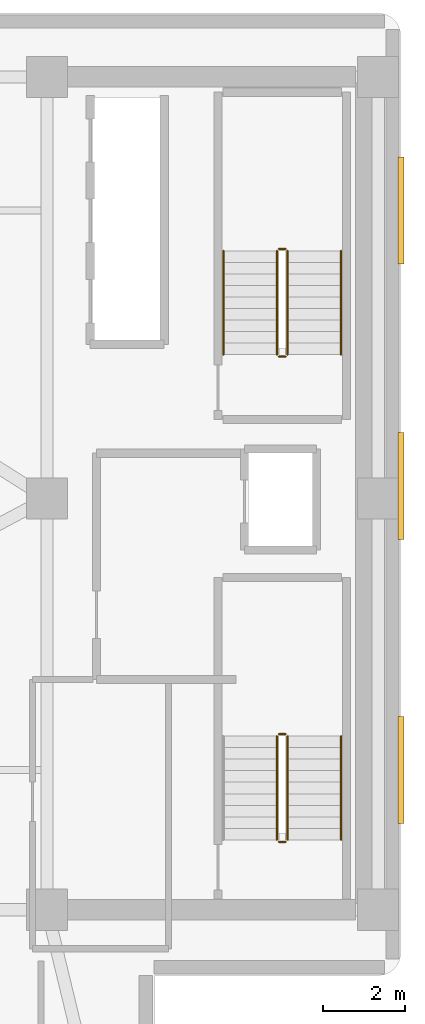
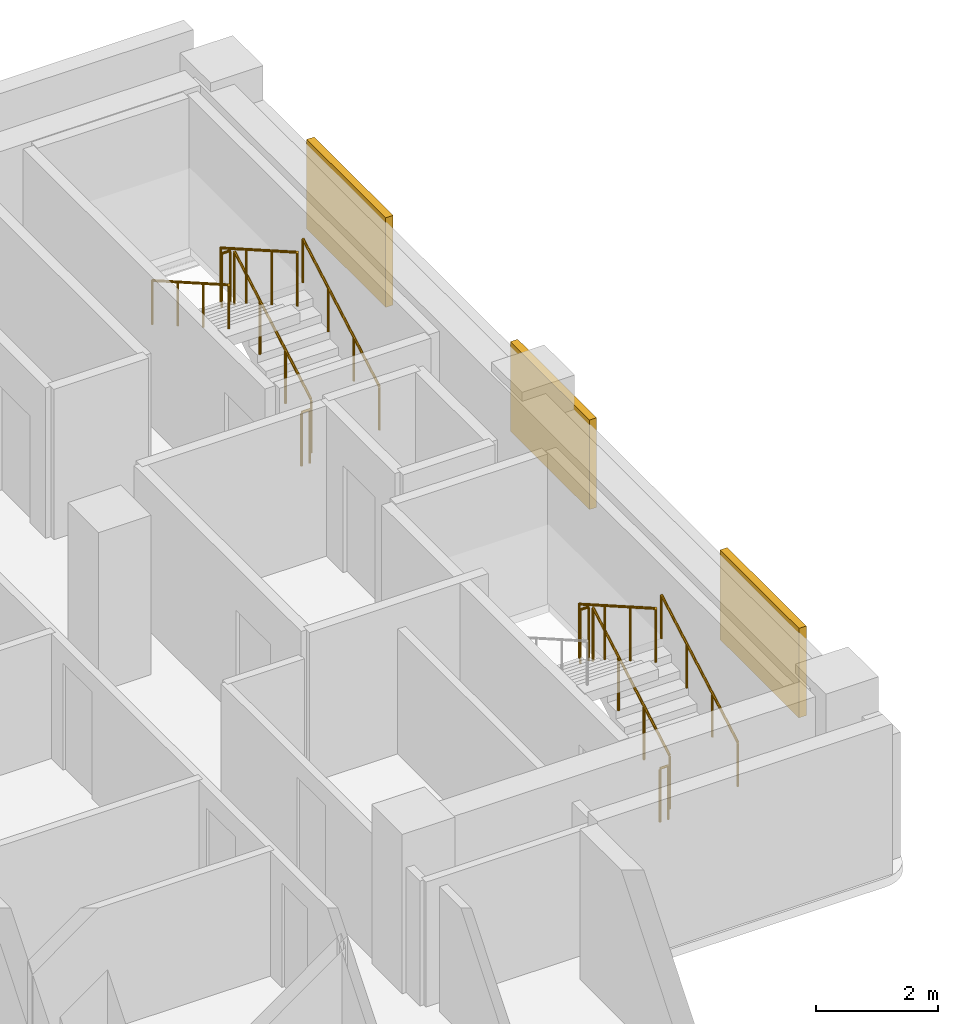
# One storey, part 17 of 17: 11 railings, 3 shading devices.
"""IFC4 building model written with IfcOpenShell, lengths in metres."""

import ifcopenshell
import ifcopenshell.guid

model = None  # the IFC model being written
_history = None  # IfcOwnerHistory: only IFC2X3 demands one
_inside = {}  # id of a spatial element -> (the spatial element, [elements in it])
_under = {}  # id of a project, library or spatial element -> (it, [spatial elements below it])
_declared = {}  # id of a project -> (the project, [libraries it declares])
_typed = {}  # id of a type object -> (the type object, [elements of that type])
_made_of = {}  # id of a material, layer set ... -> (it, [elements and type objects made of it])


def new_model(schema):
    """Start an empty IFC model of exactly this schema.

    Asked for "IFC4X3", IfcOpenShell would pick the latest addendum, in which some entities
    have other attributes; the version numbers below select the first issue.
    IFC2X3 requires an IfcOwnerHistory on every rooted entity: one is made here for all.
    """
    global model, _history
    if schema == "IFC4X3":
        model = ifcopenshell.file(schema_version=(4, 3, 0, 0))
    else:
        model = ifcopenshell.file(schema=schema)
    _inside.clear()
    _under.clear()
    _declared.clear()
    _typed.clear()
    _made_of.clear()
    _history = None
    if model.schema == "IFC2X3":
        org = make("IfcOrganization", Name="unknown")
        user = make(
            "IfcPersonAndOrganization",
            ThePerson=make("IfcPerson", FamilyName="unknown"),
            TheOrganization=org,
        )
        app = make(
            "IfcApplication",
            ApplicationDeveloper=org,
            Version="unknown",
            ApplicationFullName="unknown",
            ApplicationIdentifier="unknown",
        )
        _history = make(
            "IfcOwnerHistory",
            OwningUser=user,
            OwningApplication=app,
            ChangeAction="ADDED",
            CreationDate=0,
        )
    return model


def make(cls, **values):
    """One entity of the class cls with the attributes given. An attribute that is None is left unset."""
    return model.create_entity(
        cls, **{name: value for name, value in values.items() if value is not None}
    )


def rooted(cls, **values):
    """An entity with a GlobalId (a new one), such as an element, a storey or a relation."""
    return make(cls, GlobalId=ifcopenshell.guid.new(), OwnerHistory=_history, **values)


def si_unit(unit_type, name, prefix=None):
    """IfcSIUnit, for example si_unit("LENGTHUNIT", "METRE", prefix="MILLI")."""
    return make("IfcSIUnit", UnitType=unit_type, Prefix=prefix, Name=name)


def assignment(units):
    """IfcUnitAssignment: the units of a project."""
    return None if units is None else make("IfcUnitAssignment", Units=units)


def point(xyz):
    """IfcCartesianPoint."""
    return None if xyz is None else make("IfcCartesianPoint", Coordinates=xyz)


def direction(xyz):
    """IfcDirection."""
    return None if xyz is None else make("IfcDirection", DirectionRatios=xyz)


def frame(location, z_axis=None, x_axis=None):
    """IfcAxis2Placement3D, a coordinate frame: its origin and axes. An axis left out is left unset."""
    return make(
        "IfcAxis2Placement3D",
        Location=point(location),
        Axis=direction(z_axis),
        RefDirection=direction(x_axis),
    )


def frame_2d(location, x_axis=None):
    """IfcAxis2Placement2D, a coordinate frame in the plane: its origin and x axis."""
    return make(
        "IfcAxis2Placement2D", Location=point(location), RefDirection=direction(x_axis)
    )


def origin():
    """The frame at (0, 0, 0) with its axes left unset."""
    return frame((0.0, 0.0, 0.0))


def origin_2d():
    """The frame at (0, 0) in the plane with its x axis left unset."""
    return frame_2d((0.0, 0.0))


def place(relative_to, where):
    """IfcLocalPlacement: puts the frame where relative to a parent placement (None: the world)."""
    return make(
        "IfcLocalPlacement", PlacementRelTo=relative_to, RelativePlacement=where
    )


def context(
    kind, dimensions, precision=None, world=None, true_north=None, identifier=None
):
    """IfcGeometricRepresentationContext, for example the 3D "Model" context."""
    return make(
        "IfcGeometricRepresentationContext",
        ContextIdentifier=identifier,
        ContextType=kind,
        CoordinateSpaceDimension=dimensions,
        Precision=precision,
        WorldCoordinateSystem=world,
        TrueNorth=true_north,
    )


def subcontext(parent, identifier, kind, view, scale=None):
    """IfcGeometricRepresentationSubContext, for example "Body" below "Model"."""
    return make(
        "IfcGeometricRepresentationSubContext",
        ContextIdentifier=identifier,
        ContextType=kind,
        ParentContext=parent,
        TargetScale=scale,
        TargetView=view,
    )


def project(units=None, contexts=None):
    """IfcProject with its units and contexts."""
    return rooted(
        "IfcProject",
        Name="project",
        RepresentationContexts=contexts,
        UnitsInContext=assignment(units),
    )


def spatial(cls, under=None, at=None, **own):
    """A site, building, storey or space (cls), placed at a placement, below another one or the project."""
    s = rooted(cls, ObjectPlacement=at, **own)
    if under is not None:
        _under.setdefault(under.id(), (under, []))[1].append(s)
    return s


def profile(cls, at=None, kind="AREA", **sizes):
    """A parametric profile (cls). Its sizes go by their IFC names, for example OverallWidth=200.0."""
    return make(cls, ProfileType=kind, Position=at, **sizes)


def rectangle(**sizes):
    """IfcRectangleProfileDef."""
    return profile("IfcRectangleProfileDef", **sizes)


def circle(**sizes):
    """IfcCircleProfileDef."""
    return profile("IfcCircleProfileDef", **sizes)


def extrude(swept, where, along, depth):
    """IfcExtrudedAreaSolid: the profile swept, set in the frame where, extruded along a direction by depth."""
    return make(
        "IfcExtrudedAreaSolid",
        SweptArea=swept,
        Position=where,
        ExtrudedDirection=direction(along),
        Depth=depth,
    )


def shape(context_of_items, identifier, shape_type, items):
    """IfcShapeRepresentation: the items that make up one representation, for example the "Body"."""
    return make(
        "IfcShapeRepresentation",
        ContextOfItems=context_of_items,
        RepresentationIdentifier=identifier,
        RepresentationType=shape_type,
        Items=items,
    )


def material(Name=None, Category=None):
    """IfcMaterial."""
    return make("IfcMaterial", Name=Name, Category=Category)


def layer(
    of_material, thickness, ventilated=None, Name=None, Category=None, Priority=None
):
    """IfcMaterialLayer: one layer of a wall or slab, of a material (None: an air gap)."""
    return make(
        "IfcMaterialLayer",
        Material=of_material,
        LayerThickness=thickness,
        IsVentilated=ventilated,
        Name=Name,
        Category=Category,
        Priority=Priority,
    )


def layer_set(layers, Name=None):
    """IfcMaterialLayerSet."""
    return make("IfcMaterialLayerSet", MaterialLayers=layers, LayerSetName=Name)


def made_of(thing, what):
    """Note that an element or type object is made of a material, layer set ...; save() writes the relation."""
    if what is not None:
        _made_of.setdefault(what.id(), (what, []))[1].append(thing)
    return thing


def type_object(cls, material=None, **own):
    """A type object (cls), such as IfcWallType, which elements share."""
    return made_of(rooted(cls, **own), material)


def element(
    cls,
    number,
    at=None,
    inside=None,
    cuts=None,
    type_object=None,
    material=None,
    context=None,
    identifier="Body",
    shape_type=None,
    held_by="IfcProductDefinitionShape",
    body=None,
    shapes=None,
    **own,
):
    """One element of the class cls, such as IfcWall. Its Tag is "e" and its number.

    at: its placement. inside: the storey or other place that contains it. cuts: it is an
    opening in that element (IfcRelVoidsElement). A single representation is given by context,
    identifier, shape_type and body (its items); several are given by shapes. held_by: the class
    of the entity that holds the representations. save() writes the other relations.
    """
    e = rooted(cls, Tag="e%d" % number, ObjectPlacement=at, **own)
    if body is not None:
        shapes = [shape(context, identifier, shape_type, body)]
    if shapes is not None:
        e.Representation = make(held_by, Representations=shapes)
    if inside is not None:
        _inside.setdefault(inside.id(), (inside, []))[1].append(e)
    if cuts is not None:
        rooted(
            "IfcRelVoidsElement", RelatingBuildingElement=cuts, RelatedOpeningElement=e
        )
    if type_object is not None:
        _typed.setdefault(type_object.id(), (type_object, []))[1].append(e)
    return made_of(e, material)


def aggregate(whole, parts):
    """IfcRelAggregates: a whole, such as a stair, and the parts it consists of."""
    return rooted("IfcRelAggregates", RelatingObject=whole, RelatedObjects=parts)


def save(model, path):
    """Write the relations noted so far, then the file.

    IfcRelAggregates (storeys below a building ...), IfcRelContainedInSpatialStructure (elements
    in a storey), IfcRelDefinesByType, IfcRelAssociatesMaterial and IfcRelDeclares: one each for
    every whole, place, type object, material and project.
    """
    for whole, parts in _under.values():
        aggregate(whole, parts)
    for where, things in _inside.values():
        rooted(
            "IfcRelContainedInSpatialStructure",
            RelatedElements=things,
            RelatingStructure=where,
        )
    for kind, things in _typed.values():
        rooted("IfcRelDefinesByType", RelatedObjects=things, RelatingType=kind)
    for what, things in _made_of.values():
        rooted("IfcRelAssociatesMaterial", RelatedObjects=things, RelatingMaterial=what)
    for by, libraries in _declared.values():
        rooted("IfcRelDeclares", RelatingContext=by, RelatedDefinitions=libraries)
    model.write(path)


model = new_model("IFC4")

# Units and contexts
model_context = context("Model", 3, precision=1e-05, world=origin(), true_north=direction((0.0, 1.0)))
body_context = subcontext(model_context, "Body", "Model", "MODEL_VIEW")
ifc_project = project(units=[si_unit("LENGTHUNIT", "METRE"), si_unit("AREAUNIT", "SQUARE_METRE"), si_unit("VOLUMEUNIT", "CUBIC_METRE"), si_unit("PLANEANGLEUNIT", "RADIAN"), si_unit("MASSUNIT", "GRAM", prefix="KILO")], contexts=[model_context])

# Site, building, storey
site_placement = place(None, origin())
site = spatial("IfcSite", under=ifc_project, at=site_placement, CompositionType="ELEMENT")
building_placement = place(site_placement, origin())
building = spatial("IfcBuilding", under=site, at=building_placement, Name="Kuzgunbayir Cultural Tower", CompositionType="ELEMENT")
storey_placement = place(building_placement, frame((0.0, 0.0, 56.39990234375)))
storey = spatial("IfcBuildingStorey", under=building, at=storey_placement, Name="L15", CompositionType="ELEMENT", Elevation=56.39990234375)

# Railings
ifc_material_1 = material(Name="Brushed Stainless Steel", Category="steel")
ifc_layer_1 = layer(ifc_material_1, 0.050048828125)
ifc_layer_set_1 = layer_set([ifc_layer_1], Name="Brushed Stainless Steel")
railing_type_1 = type_object("IfcRailingType", Name="RLG-STAIR-HANDRAIL", PredefinedType="HANDRAIL", material=ifc_layer_set_1)
for number, where, name in (
    (1, (71.75, 23.699951171875, 0.16015625), "L15 ST-3 stair handrail 1"),
    (2, (71.75, 35.5, 0.16015625), "L15 ST-4 stair handrail 1"),
):
    element("IfcRailing", number, at=place(storey_placement, frame(where)), inside=storey, type_object=railing_type_1, Name=name, PredefinedType="HANDRAIL", context=body_context, shape_type="SweptSolid", body=[
        extrude(circle(Radius=0.02392578125, at=origin_2d()), frame((0.0, 0.0, 0.8759765625), z_axis=(0.0, 0.868253494771, 0.496120820787), x_axis=(-1.0, 0.0, 0.0)), (0.0, 0.0, 1.0), 2.90234375),
        extrude(circle(Radius=0.02099609375, at=origin_2d()), origin(), (0.0, 0.0, 1.0), 0.851806640625),
        extrude(circle(Radius=0.02099609375, at=origin_2d()), frame((0.0, 0.840087890625, 0.47998046875)), (0.0, 0.0, 1.0), 0.851806640625),
        extrude(circle(Radius=0.02099609375, at=origin_2d()), frame((0.0, 1.679931640625, 0.9599609375)), (0.0, 0.0, 1.0), 0.851806640625),
        extrude(circle(Radius=0.02099609375, at=origin_2d()), frame((0.0, 2.52001953125, 1.43994140625)), (0.0, 0.0, 1.0), 0.851806640625),
    ])
railing_1_placement = place(storey_placement, frame((68.889892578125, 38.02001953125, 1.760009765625)))
element("IfcRailing", 3, at=railing_1_placement, inside=storey, type_object=railing_type_1, Name="L15 ST-4 stair handrail 2", PredefinedType="HANDRAIL", context=body_context, shape_type="SweptSolid", body=[
    extrude(circle(Radius=0.02392578125, at=origin_2d()), frame((0.0, 0.0, 0.8759765625), z_axis=(0.0, -0.868217259934, 0.496184229447), x_axis=(1.0, 0.0, 0.0)), (0.0, 0.0, 1.0), 2.902587890625),
    extrude(circle(Radius=0.02099609375, at=origin_2d()), origin(), (0.0, 0.0, 1.0), 0.851806640625),
    extrude(circle(Radius=0.02099609375, at=origin_2d()), frame((0.0, -0.840087890625, 0.47998046875)), (0.0, 0.0, 1.0), 0.851806640625),
    extrude(circle(Radius=0.02099609375, at=origin_2d()), frame((0.0, -1.679931640625, 0.960205078125)), (0.0, 0.0, 1.0), 0.851806640625),
    extrude(circle(Radius=0.02099609375, at=origin_2d()), frame((0.0, -2.52001953125, 1.440185546875)), (0.0, 0.0, 1.0), 0.851806640625),
])
ifc_material_2 = material(Name="Painted Steel Balustrade", Category="steel")
ifc_layer_2 = layer(ifc_material_2, 0.06005859375)
ifc_layer_set_2 = layer_set([ifc_layer_2], Name="Painted Steel Balustrade")
railing_type_2 = type_object("IfcRailingType", Name="RLG-WELL-GUARD", PredefinedType="GUARDRAIL", material=ifc_layer_set_2)
railing_2_placement = place(storey_placement, frame((70.449951171875, 23.699951171875, 0.16015625)))
element("IfcRailing", 4, at=railing_2_placement, inside=storey, type_object=railing_type_2, Name="L15 ST-3 stair guard 1", PredefinedType="GUARDRAIL", context=body_context, shape_type="SweptSolid", body=[
    extrude(circle(Radius=0.02392578125, at=origin_2d()), frame((0.0, 0.0, 1.076171875), z_axis=(0.0, 0.868253494771, 0.496120820787), x_axis=(-1.0, 0.0, 0.0)), (0.0, 0.0, 1.0), 2.90234375),
    extrude(circle(Radius=0.02099609375, at=origin_2d()), origin(), (0.0, 0.0, 1.0), 1.052001953125),
    extrude(circle(Radius=0.02099609375, at=origin_2d()), frame((0.0, 0.840087890625, 0.47998046875)), (0.0, 0.0, 1.0), 1.052001953125),
    extrude(circle(Radius=0.02099609375, at=origin_2d()), frame((0.0, 1.679931640625, 0.9599609375)), (0.0, 0.0, 1.0), 1.052001953125),
    extrude(circle(Radius=0.02099609375, at=origin_2d()), frame((0.0, 2.52001953125, 1.43994140625)), (0.0, 0.0, 1.0), 1.052001953125),
])
railing_3_placement = place(storey_placement, frame((70.39990234375, 26.27001953125, 1.60009765625)))
element("IfcRailing", 5, at=railing_3_placement, inside=storey, type_object=railing_type_2, Name="L15 ST-3 stair guard 2", PredefinedType="GUARDRAIL", context=body_context, shape_type="SweptSolid", body=[
    extrude(circle(Radius=0.02392578125, at=origin_2d()), frame((0.0, 0.0, 1.076171875), z_axis=(-1.0, 0.0, 0.0), x_axis=(0.0, -1.0, 0.0)), (0.0, 0.0, 1.0), 0.159912109375),
    extrude(circle(Radius=0.02099609375, at=origin_2d()), origin(), (0.0, 0.0, 1.0), 1.052001953125),
    extrude(circle(Radius=0.02099609375, at=origin_2d()), frame((-0.159912109375, 0.0, 0.0)), (0.0, 0.0, 1.0), 1.052001953125),
])
railing_4_placement = place(storey_placement, frame((70.18994140625, 26.219970703125, 1.760009765625)))
element("IfcRailing", 6, at=railing_4_placement, inside=storey, type_object=railing_type_2, Name="L15 ST-3 stair guard 3", PredefinedType="GUARDRAIL", context=body_context, shape_type="SweptSolid", body=[
    extrude(circle(Radius=0.02392578125, at=origin_2d()), frame((0.0, 0.0, 1.076171875), z_axis=(0.0, -0.868217259934, 0.496184229447), x_axis=(1.0, 0.0, 0.0)), (0.0, 0.0, 1.0), 2.902587890625),
    extrude(circle(Radius=0.02099609375, at=origin_2d()), origin(), (0.0, 0.0, 1.0), 1.052001953125),
    extrude(circle(Radius=0.02099609375, at=origin_2d()), frame((0.0, -0.840087890625, 0.47998046875)), (0.0, 0.0, 1.0), 1.052001953125),
    extrude(circle(Radius=0.02099609375, at=origin_2d()), frame((0.0, -1.679931640625, 0.960205078125)), (0.0, 0.0, 1.0), 1.052001953125),
    extrude(circle(Radius=0.02099609375, at=origin_2d()), frame((0.0, -2.52001953125, 1.440185546875)), (0.0, 0.0, 1.0), 1.052001953125),
])
railing_5_placement = place(storey_placement, frame((70.39990234375, 23.64990234375, 0.0)))
element("IfcRailing", 7, at=railing_5_placement, inside=storey, type_object=railing_type_2, Name="L15 ST-3 stair guard 4", PredefinedType="GUARDRAIL", context=body_context, shape_type="SweptSolid", body=[
    extrude(circle(Radius=0.02392578125, at=origin_2d()), frame((0.0, 0.0, 1.076171875), z_axis=(-1.0, 0.0, 0.0), x_axis=(0.0, -1.0, 0.0)), (0.0, 0.0, 1.0), 0.159912109375),
    extrude(circle(Radius=0.02099609375, at=origin_2d()), origin(), (0.0, 0.0, 1.0), 1.052001953125),
    extrude(circle(Radius=0.02099609375, at=origin_2d()), frame((-0.159912109375, 0.0, 0.0)), (0.0, 0.0, 1.0), 1.052001953125),
])
railing_6_placement = place(storey_placement, frame((70.449951171875, 35.5, 0.16015625)))
element("IfcRailing", 8, at=railing_6_placement, inside=storey, type_object=railing_type_2, Name="L15 ST-4 stair guard 1", PredefinedType="GUARDRAIL", context=body_context, shape_type="SweptSolid", body=[
    extrude(circle(Radius=0.02392578125, at=origin_2d()), frame((0.0, 0.0, 1.076171875), z_axis=(0.0, 0.868253494771, 0.496120820787), x_axis=(-1.0, 0.0, 0.0)), (0.0, 0.0, 1.0), 2.90234375),
    extrude(circle(Radius=0.02099609375, at=origin_2d()), origin(), (0.0, 0.0, 1.0), 1.052001953125),
    extrude(circle(Radius=0.02099609375, at=origin_2d()), frame((0.0, 0.840087890625, 0.47998046875)), (0.0, 0.0, 1.0), 1.052001953125),
    extrude(circle(Radius=0.02099609375, at=origin_2d()), frame((0.0, 1.679931640625, 0.9599609375)), (0.0, 0.0, 1.0), 1.052001953125),
    extrude(circle(Radius=0.02099609375, at=origin_2d()), frame((0.0, 2.52001953125, 1.43994140625)), (0.0, 0.0, 1.0), 1.052001953125),
])
railing_7_placement = place(storey_placement, frame((70.39990234375, 38.070068359375, 1.60009765625)))
element("IfcRailing", 9, at=railing_7_placement, inside=storey, type_object=railing_type_2, Name="L15 ST-4 stair guard 2", PredefinedType="GUARDRAIL", context=body_context, shape_type="SweptSolid", body=[
    extrude(circle(Radius=0.02392578125, at=origin_2d()), frame((0.0, 0.0, 1.076171875), z_axis=(-1.0, 0.0, 0.0), x_axis=(0.0, -1.0, 0.0)), (0.0, 0.0, 1.0), 0.159912109375),
    extrude(circle(Radius=0.02099609375, at=origin_2d()), origin(), (0.0, 0.0, 1.0), 1.052001953125),
    extrude(circle(Radius=0.02099609375, at=origin_2d()), frame((-0.159912109375, 0.0, 0.0)), (0.0, 0.0, 1.0), 1.052001953125),
])
railing_8_placement = place(storey_placement, frame((70.18994140625, 38.02001953125, 1.760009765625)))
element("IfcRailing", 10, at=railing_8_placement, inside=storey, type_object=railing_type_2, Name="L15 ST-4 stair guard 3", PredefinedType="GUARDRAIL", context=body_context, shape_type="SweptSolid", body=[
    extrude(circle(Radius=0.02392578125, at=origin_2d()), frame((0.0, 0.0, 1.076171875), z_axis=(0.0, -0.868217259934, 0.496184229447), x_axis=(1.0, 0.0, 0.0)), (0.0, 0.0, 1.0), 2.902587890625),
    extrude(circle(Radius=0.02099609375, at=origin_2d()), origin(), (0.0, 0.0, 1.0), 1.052001953125),
    extrude(circle(Radius=0.02099609375, at=origin_2d()), frame((0.0, -0.840087890625, 0.47998046875)), (0.0, 0.0, 1.0), 1.052001953125),
    extrude(circle(Radius=0.02099609375, at=origin_2d()), frame((0.0, -1.679931640625, 0.960205078125)), (0.0, 0.0, 1.0), 1.052001953125),
    extrude(circle(Radius=0.02099609375, at=origin_2d()), frame((0.0, -2.52001953125, 1.440185546875)), (0.0, 0.0, 1.0), 1.052001953125),
])
railing_9_placement = place(storey_placement, frame((70.39990234375, 35.449951171875, 0.0)))
element("IfcRailing", 11, at=railing_9_placement, inside=storey, type_object=railing_type_2, Name="L15 ST-4 stair guard 4", PredefinedType="GUARDRAIL", context=body_context, shape_type="SweptSolid", body=[
    extrude(circle(Radius=0.02392578125, at=origin_2d()), frame((0.0, 0.0, 1.076171875), z_axis=(-1.0, 0.0, 0.0), x_axis=(0.0, -1.0, 0.0)), (0.0, 0.0, 1.0), 0.159912109375),
    extrude(circle(Radius=0.02099609375, at=origin_2d()), origin(), (0.0, 0.0, 1.0), 1.052001953125),
    extrude(circle(Radius=0.02099609375, at=origin_2d()), frame((-0.159912109375, 0.0, 0.0)), (0.0, 0.0, 1.0), 1.052001953125),
])

# Shading devices
ifc_material_3 = material(Name="Perforated Bronze-Anodised Aluminium", Category="aluminium")
shading_device_type = type_object("IfcShadingDeviceType", Name="SHD-SOLAR-BRONZE", PredefinedType="JALOUSIE", material=ifc_material_3)
for number, where, z_axis, x_axis, name in (
    (12, (73.2099609375, 25.39990234375, 0.80029296875), (0.0, 0.0, 1.0), (1.0, 0.0, 0.0), "L15 Companion East Bronze Solar Screen 25"),
    (13, (73.2099609375, 32.300048828125, 0.80029296875), (0.0, 0.0, 1.0), (1.0, 0.0, 0.0), "L15 Companion East Bronze Solar Screen 32"),
    (14, (73.2099609375, 39.0, 0.80029296875), (0.0, 0.0, 1.0), (1.0, 0.0, 0.0), "L15 Companion East Bronze Solar Screen 39"),
):
    element("IfcShadingDevice", number, at=place(storey_placement, frame(where, z_axis=z_axis, x_axis=x_axis)), inside=storey, type_object=shading_device_type, Name=name, PredefinedType="JALOUSIE", context=body_context, shape_type="SweptSolid", body=[
        extrude(rectangle(XDim=0.139892578125, YDim=2.60009765625, at=origin_2d()), origin(), (0.0, 0.0, 1.0), 1.800048828125),
    ])

save(model, "model.ifc")
